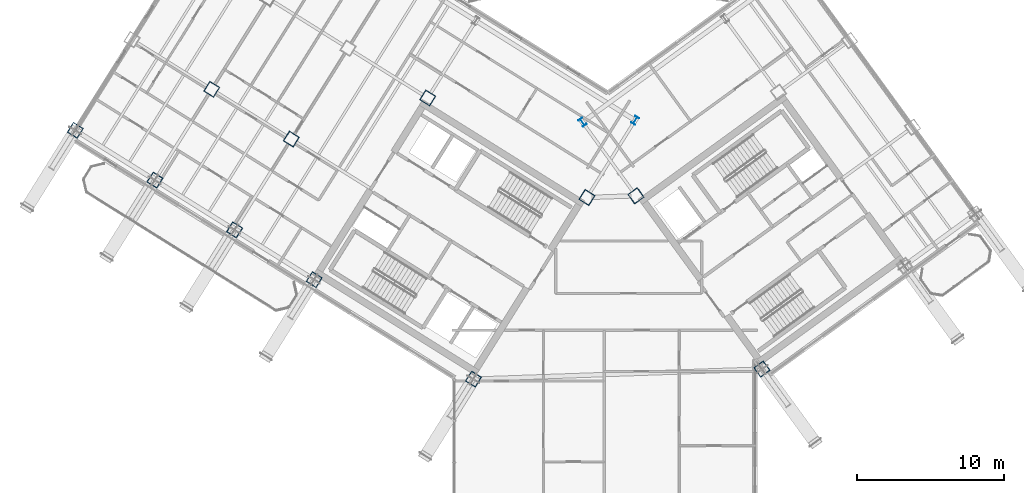
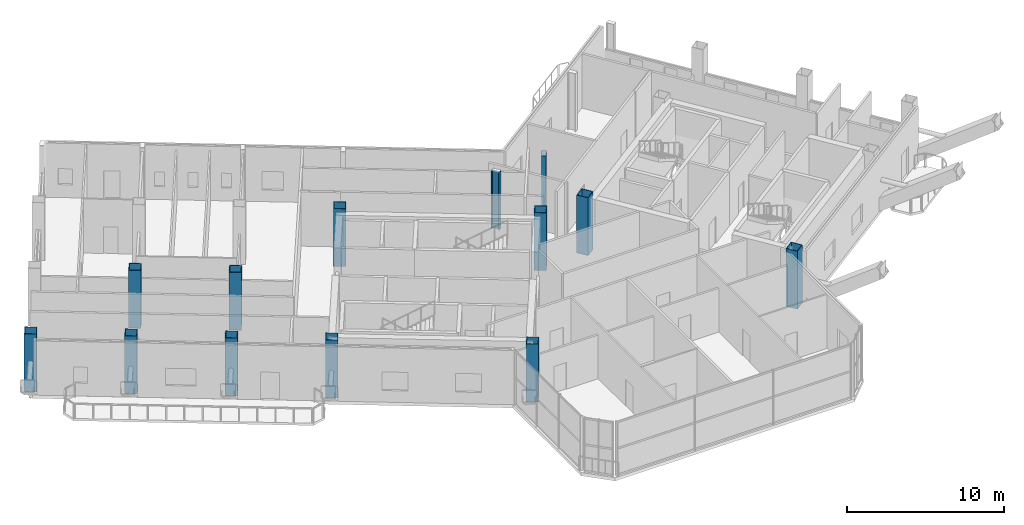
# One storey, part 1 of 34: 13 columns.
"""IFC4 building model written with IfcOpenShell, lengths in metres."""

from ifc_helpers import new_model, si_unit, direction, frame, origin, origin_2d, place, context, subcontext, project, spatial, hollow_rectangle, i_section, extrude, source, transform, mapped, material, material_profile, profile_set, type_object, element, save


model = new_model("IFC4")

# Units and contexts
model_context = context("Model", 3, precision=1e-05, world=origin(), true_north=direction((0.0, 1.0)))
body_context = subcontext(model_context, "Body", "Model", "MODEL_VIEW")
ifc_project = project(units=[si_unit("LENGTHUNIT", "METRE"), si_unit("AREAUNIT", "SQUARE_METRE"), si_unit("VOLUMEUNIT", "CUBIC_METRE"), si_unit("PLANEANGLEUNIT", "RADIAN"), si_unit("MASSUNIT", "GRAM", prefix="KILO")], contexts=[model_context])

# Site, building, storey
site_placement = place(None, origin())
site = spatial("IfcSite", under=ifc_project, at=site_placement, CompositionType="ELEMENT")
building_placement = place(site_placement, origin())
building = spatial("IfcBuilding", under=site, at=building_placement, Name="Tlacorven Tower", CompositionType="ELEMENT")
storey_placement = place(building_placement, frame((0.0, 0.0, 229.199951171875)))
storey = spatial("IfcBuildingStorey", under=building, at=storey_placement, Name="L58", CompositionType="ELEMENT", Elevation=229.199951171875)

# Columns
ifc_material = material(Name="Steel S460M", Category="steel")
ifc_material_profile_1 = material_profile(ifc_material, i_section(OverallWidth=0.300048828125, OverallDepth=0.550048828125, WebThickness=0.014892578125, FlangeThickness=0.029052734375, at=origin_2d()), Name="HEB 550")
ifc_profile_set_1 = profile_set([ifc_material_profile_1], Name="Steel S460M")
column_type_1 = type_object("IfcColumnType", Name="COL-TWR-P2", PredefinedType="COLUMN", material=ifc_profile_set_1)
shared_shape_1 = source(origin(), body_context, "Body", "SweptSolid", [
    extrude(i_section(OverallWidth=0.300048828125, OverallDepth=0.550048828125, WebThickness=0.014892578125, FlangeThickness=0.029052734375, at=origin_2d()), origin(), (0.0, 0.0, 1.0), 4.5),
])
for number, where, z_axis, x_axis, name in (
    (1, (44.068359375, 29.726318359375, 0.0), (0.0, 0.0, 1.0), (-0.848048096156, 0.529919264233, 0.0), "L58 column COL-L58-W1-1"),
    (2, (40.4794921875, 29.60107421875, 0.0), (0.0, 0.0, 1.0), (0.809016994375, 0.587785252292, 0.0), "L58 column COL-L58-E1-4"),
):
    element("IfcColumn", number, at=place(storey_placement, frame(where, z_axis=z_axis, x_axis=x_axis)), inside=storey, type_object=column_type_1, Name=name, PredefinedType="COLUMN", context=body_context, shape_type="MappedRepresentation", body=[
        mapped(shared_shape_1, transform((0.0, 0.0, 0.0), scale=1.0)),
    ])
ifc_material_profile_2 = material_profile(ifc_material, hollow_rectangle(XDim=0.800048828125, YDim=0.800048828125, WallThickness=0.031982421875, at=origin_2d()), Name="BOX 800X800X32")
ifc_profile_set_2 = profile_set([ifc_material_profile_2], Name="Steel S460M")
column_type_2 = type_object("IfcColumnType", Name="COL-TWR-S3", PredefinedType="COLUMN", material=ifc_profile_set_2)
shared_shape_2 = source(origin(), body_context, "Body", "SweptSolid", [
    extrude(hollow_rectangle(XDim=0.800048828125, YDim=0.800048828125, WallThickness=0.031982421875, at=origin_2d()), origin(), (0.0, 0.0, 1.0), 4.5),
])
for number, where, z_axis, x_axis, name in (
    (3, (40.782958984375, 24.468505859375, 0.0), (0.0, 0.0, 1.0), (-0.848048096156, 0.529919264233, 0.0), "L58 column COL-L58-W1-2"),
    (4, (33.046142578125, 12.0869140625, 0.0), (0.0, 0.0, 1.0), (-0.848048096156, 0.529919264233, 0.0), "L58 column COL-L58-W1-4"),
    (5, (29.927978515625, 31.25146484375, 0.0), (0.0, 0.0, 1.0), (-0.848048096156, 0.529919264233, 0.0), "L58 column COL-L58-W3-2"),
    (6, (22.191162109375, 18.869873046875, 0.0), (0.0, 0.0, 1.0), (-0.848048096156, 0.529919264233, 0.0), "L58 column COL-L58-W3-4"),
    (7, (20.632080078125, 28.4521484375, 0.0), (0.0, 0.0, 1.0), (-0.848048096156, 0.529919264233, 0.0), "L58 column COL-L58-W4-3"),
    (8, (16.763671875, 22.26123046875, 0.0), (0.0, 0.0, 1.0), (-0.848048096156, 0.529919264233, 0.0), "L58 column COL-L58-W4-4"),
    (9, (15.20458984375, 31.843505859375, 0.0), (0.0, 0.0, 1.0), (-0.848048096156, 0.529919264233, 0.0), "L58 column COL-L58-W5-3"),
    (10, (11.336181640625, 25.65283203125, 0.0), (0.0, 0.0, 1.0), (-0.848048096156, 0.529919264233, 0.0), "L58 column COL-L58-W5-4"),
    (11, (5.90869140625, 29.044189453125, 0.0), (0.0, 0.0, 1.0), (-0.848048096156, 0.529919264233, 0.0), "L58 column COL-L58-W6-4"),
    (12, (52.705322265625, 12.7734375, 0.0), (0.0, 0.0, 1.0), (0.809016994375, 0.587785252292, 0.0), "L58 column COL-L58-E1-1"),
    (13, (44.123779296875, 24.5849609375, 0.0), (0.0, 0.0, 1.0), (0.809016994375, 0.587785252292, 0.0), "L58 column COL-L58-E1-3"),
):
    element("IfcColumn", number, at=place(storey_placement, frame(where, z_axis=z_axis, x_axis=x_axis)), inside=storey, type_object=column_type_2, Name=name, PredefinedType="COLUMN", context=body_context, shape_type="MappedRepresentation", body=[
        mapped(shared_shape_2, transform((0.0, 0.0, 0.0), scale=1.0)),
    ])

save(model, "model.ifc")
